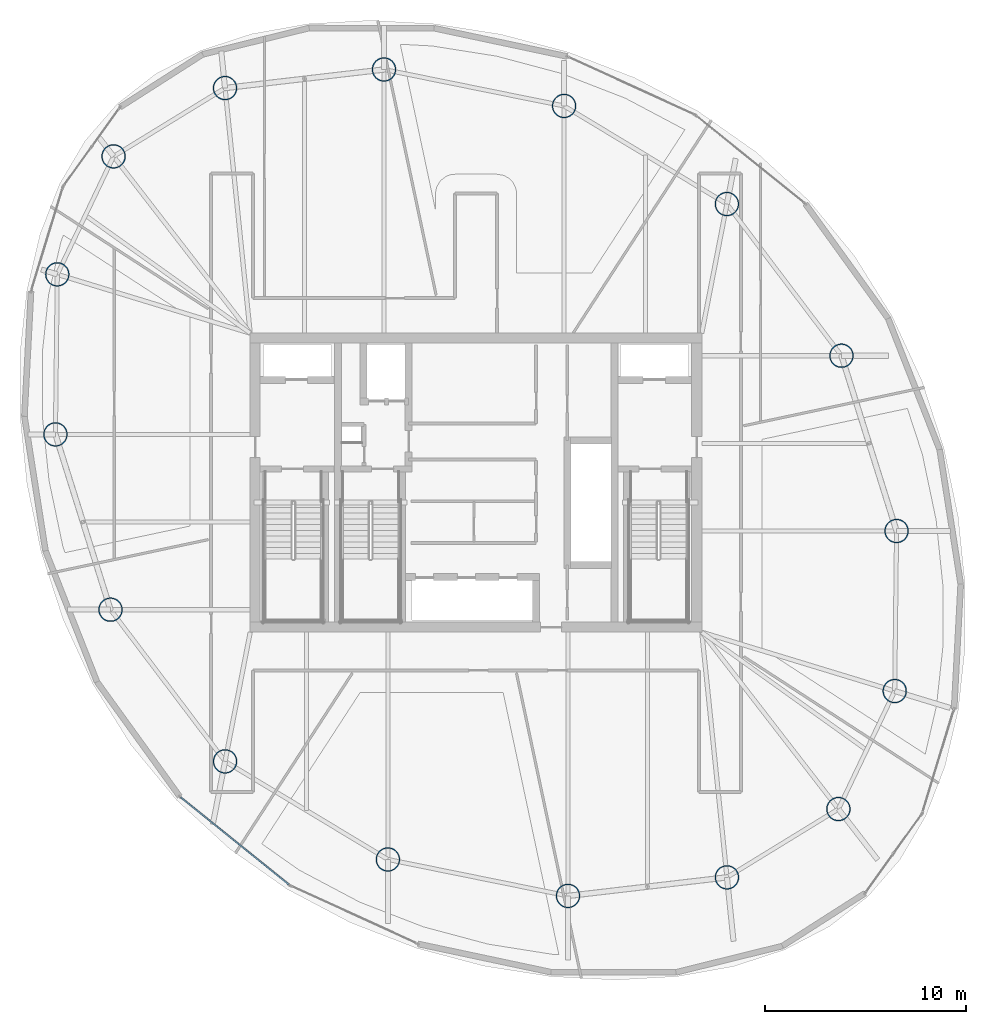
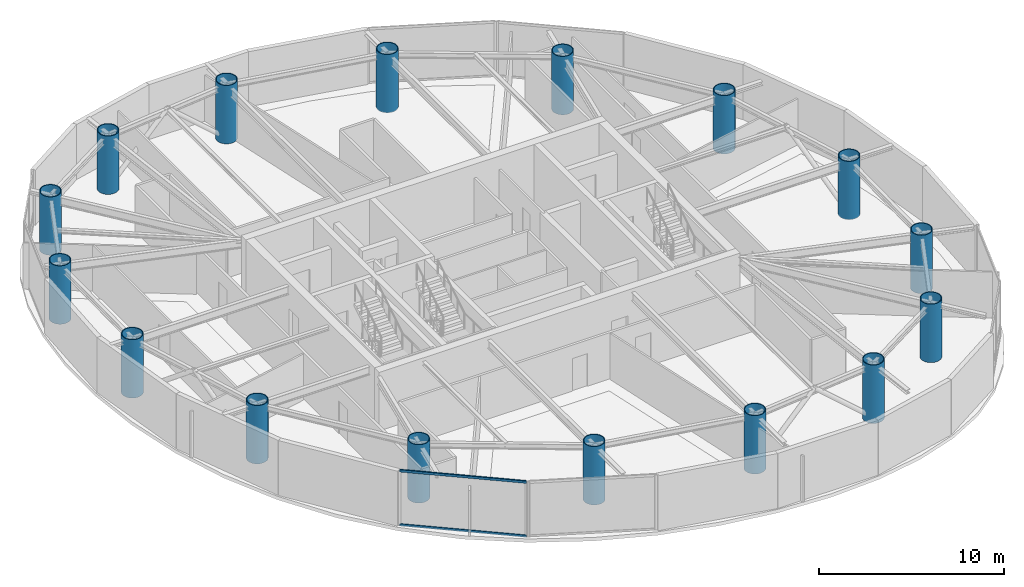
# One storey, part 1 of 19: 16 columns, 2 members, 1 element without a shape of its own.
"""IFC4 building model written with IfcOpenShell, lengths in metres."""

import ifcopenshell
import ifcopenshell.guid

model = None  # the IFC model being written
_history = None  # IfcOwnerHistory: only IFC2X3 demands one
_inside = {}  # id of a spatial element -> (the spatial element, [elements in it])
_under = {}  # id of a project, library or spatial element -> (it, [spatial elements below it])
_declared = {}  # id of a project -> (the project, [libraries it declares])
_typed = {}  # id of a type object -> (the type object, [elements of that type])
_made_of = {}  # id of a material, layer set ... -> (it, [elements and type objects made of it])


def new_model(schema):
    """Start an empty IFC model of exactly this schema.

    Asked for "IFC4X3", IfcOpenShell would pick the latest addendum, in which some entities
    have other attributes; the version numbers below select the first issue.
    IFC2X3 requires an IfcOwnerHistory on every rooted entity: one is made here for all.
    """
    global model, _history
    if schema == "IFC4X3":
        model = ifcopenshell.file(schema_version=(4, 3, 0, 0))
    else:
        model = ifcopenshell.file(schema=schema)
    _inside.clear()
    _under.clear()
    _declared.clear()
    _typed.clear()
    _made_of.clear()
    _history = None
    if model.schema == "IFC2X3":
        org = make("IfcOrganization", Name="unknown")
        user = make(
            "IfcPersonAndOrganization",
            ThePerson=make("IfcPerson", FamilyName="unknown"),
            TheOrganization=org,
        )
        app = make(
            "IfcApplication",
            ApplicationDeveloper=org,
            Version="unknown",
            ApplicationFullName="unknown",
            ApplicationIdentifier="unknown",
        )
        _history = make(
            "IfcOwnerHistory",
            OwningUser=user,
            OwningApplication=app,
            ChangeAction="ADDED",
            CreationDate=0,
        )
    return model


def make(cls, **values):
    """One entity of the class cls with the attributes given. An attribute that is None is left unset."""
    return model.create_entity(
        cls, **{name: value for name, value in values.items() if value is not None}
    )


def rooted(cls, **values):
    """An entity with a GlobalId (a new one), such as an element, a storey or a relation."""
    return make(cls, GlobalId=ifcopenshell.guid.new(), OwnerHistory=_history, **values)


def si_unit(unit_type, name, prefix=None):
    """IfcSIUnit, for example si_unit("LENGTHUNIT", "METRE", prefix="MILLI")."""
    return make("IfcSIUnit", UnitType=unit_type, Prefix=prefix, Name=name)


def assignment(units):
    """IfcUnitAssignment: the units of a project."""
    return None if units is None else make("IfcUnitAssignment", Units=units)


def point(xyz):
    """IfcCartesianPoint."""
    return None if xyz is None else make("IfcCartesianPoint", Coordinates=xyz)


def direction(xyz):
    """IfcDirection."""
    return None if xyz is None else make("IfcDirection", DirectionRatios=xyz)


def frame(location, z_axis=None, x_axis=None):
    """IfcAxis2Placement3D, a coordinate frame: its origin and axes. An axis left out is left unset."""
    return make(
        "IfcAxis2Placement3D",
        Location=point(location),
        Axis=direction(z_axis),
        RefDirection=direction(x_axis),
    )


def frame_2d(location, x_axis=None):
    """IfcAxis2Placement2D, a coordinate frame in the plane: its origin and x axis."""
    return make(
        "IfcAxis2Placement2D", Location=point(location), RefDirection=direction(x_axis)
    )


def origin():
    """The frame at (0, 0, 0) with its axes left unset."""
    return frame((0.0, 0.0, 0.0))


def origin_2d():
    """The frame at (0, 0) in the plane with its x axis left unset."""
    return frame_2d((0.0, 0.0))


def place(relative_to, where):
    """IfcLocalPlacement: puts the frame where relative to a parent placement (None: the world)."""
    return make(
        "IfcLocalPlacement", PlacementRelTo=relative_to, RelativePlacement=where
    )


def context(
    kind, dimensions, precision=None, world=None, true_north=None, identifier=None
):
    """IfcGeometricRepresentationContext, for example the 3D "Model" context."""
    return make(
        "IfcGeometricRepresentationContext",
        ContextIdentifier=identifier,
        ContextType=kind,
        CoordinateSpaceDimension=dimensions,
        Precision=precision,
        WorldCoordinateSystem=world,
        TrueNorth=true_north,
    )


def subcontext(parent, identifier, kind, view, scale=None):
    """IfcGeometricRepresentationSubContext, for example "Body" below "Model"."""
    return make(
        "IfcGeometricRepresentationSubContext",
        ContextIdentifier=identifier,
        ContextType=kind,
        ParentContext=parent,
        TargetScale=scale,
        TargetView=view,
    )


def project(units=None, contexts=None):
    """IfcProject with its units and contexts."""
    return rooted(
        "IfcProject",
        Name="project",
        RepresentationContexts=contexts,
        UnitsInContext=assignment(units),
    )


def spatial(cls, under=None, at=None, **own):
    """A site, building, storey or space (cls), placed at a placement, below another one or the project."""
    s = rooted(cls, ObjectPlacement=at, **own)
    if under is not None:
        _under.setdefault(under.id(), (under, []))[1].append(s)
    return s


def profile(cls, at=None, kind="AREA", **sizes):
    """A parametric profile (cls). Its sizes go by their IFC names, for example OverallWidth=200.0."""
    return make(cls, ProfileType=kind, Position=at, **sizes)


def hollow_rectangle(**sizes):
    """IfcRectangleHollowProfileDef."""
    return profile("IfcRectangleHollowProfileDef", **sizes)


def hollow_circle(**sizes):
    """IfcCircleHollowProfileDef."""
    return profile("IfcCircleHollowProfileDef", **sizes)


def extrude(swept, where, along, depth):
    """IfcExtrudedAreaSolid: the profile swept, set in the frame where, extruded along a direction by depth."""
    return make(
        "IfcExtrudedAreaSolid",
        SweptArea=swept,
        Position=where,
        ExtrudedDirection=direction(along),
        Depth=depth,
    )


def shape(context_of_items, identifier, shape_type, items):
    """IfcShapeRepresentation: the items that make up one representation, for example the "Body"."""
    return make(
        "IfcShapeRepresentation",
        ContextOfItems=context_of_items,
        RepresentationIdentifier=identifier,
        RepresentationType=shape_type,
        Items=items,
    )


def material(Name=None, Category=None):
    """IfcMaterial."""
    return make("IfcMaterial", Name=Name, Category=Category)


def layer(
    of_material, thickness, ventilated=None, Name=None, Category=None, Priority=None
):
    """IfcMaterialLayer: one layer of a wall or slab, of a material (None: an air gap)."""
    return make(
        "IfcMaterialLayer",
        Material=of_material,
        LayerThickness=thickness,
        IsVentilated=ventilated,
        Name=Name,
        Category=Category,
        Priority=Priority,
    )


def layer_set(layers, Name=None):
    """IfcMaterialLayerSet."""
    return make("IfcMaterialLayerSet", MaterialLayers=layers, LayerSetName=Name)


def material_profile(
    of_material, cross_section, Name=None, Category=None, Priority=None
):
    """IfcMaterialProfile: a cross section and its material."""
    return make(
        "IfcMaterialProfile",
        Name=Name,
        Material=of_material,
        Profile=cross_section,
        Priority=Priority,
        Category=Category,
    )


def profile_set(profiles, Name=None, composite=None):
    """IfcMaterialProfileSet."""
    return make(
        "IfcMaterialProfileSet",
        Name=Name,
        MaterialProfiles=profiles,
        CompositeProfile=composite,
    )


def made_of(thing, what):
    """Note that an element or type object is made of a material, layer set ...; save() writes the relation."""
    if what is not None:
        _made_of.setdefault(what.id(), (what, []))[1].append(thing)
    return thing


def type_object(cls, material=None, **own):
    """A type object (cls), such as IfcWallType, which elements share."""
    return made_of(rooted(cls, **own), material)


def element(
    cls,
    number,
    at=None,
    inside=None,
    cuts=None,
    type_object=None,
    material=None,
    context=None,
    identifier="Body",
    shape_type=None,
    held_by="IfcProductDefinitionShape",
    body=None,
    shapes=None,
    **own,
):
    """One element of the class cls, such as IfcWall. Its Tag is "e" and its number.

    at: its placement. inside: the storey or other place that contains it. cuts: it is an
    opening in that element (IfcRelVoidsElement). A single representation is given by context,
    identifier, shape_type and body (its items); several are given by shapes. held_by: the class
    of the entity that holds the representations. save() writes the other relations.
    """
    e = rooted(cls, Tag="e%d" % number, ObjectPlacement=at, **own)
    if body is not None:
        shapes = [shape(context, identifier, shape_type, body)]
    if shapes is not None:
        e.Representation = make(held_by, Representations=shapes)
    if inside is not None:
        _inside.setdefault(inside.id(), (inside, []))[1].append(e)
    if cuts is not None:
        rooted(
            "IfcRelVoidsElement", RelatingBuildingElement=cuts, RelatedOpeningElement=e
        )
    if type_object is not None:
        _typed.setdefault(type_object.id(), (type_object, []))[1].append(e)
    return made_of(e, material)


def aggregate(whole, parts):
    """IfcRelAggregates: a whole, such as a stair, and the parts it consists of."""
    return rooted("IfcRelAggregates", RelatingObject=whole, RelatedObjects=parts)


def save(model, path):
    """Write the relations noted so far, then the file.

    IfcRelAggregates (storeys below a building ...), IfcRelContainedInSpatialStructure (elements
    in a storey), IfcRelDefinesByType, IfcRelAssociatesMaterial and IfcRelDeclares: one each for
    every whole, place, type object, material and project.
    """
    for whole, parts in _under.values():
        aggregate(whole, parts)
    for where, things in _inside.values():
        rooted(
            "IfcRelContainedInSpatialStructure",
            RelatedElements=things,
            RelatingStructure=where,
        )
    for kind, things in _typed.values():
        rooted("IfcRelDefinesByType", RelatedObjects=things, RelatingType=kind)
    for what, things in _made_of.values():
        rooted("IfcRelAssociatesMaterial", RelatedObjects=things, RelatingMaterial=what)
    for by, libraries in _declared.values():
        rooted("IfcRelDeclares", RelatingContext=by, RelatedDefinitions=libraries)
    model.write(path)


model = new_model("IFC4")

# Units and contexts
model_context = context("Model", 3, precision=1e-05, world=origin(), true_north=direction((0.0, 1.0)))
body_context = subcontext(model_context, "Body", "Model", "MODEL_VIEW")
ifc_project = project(units=[si_unit("LENGTHUNIT", "METRE"), si_unit("AREAUNIT", "SQUARE_METRE"), si_unit("VOLUMEUNIT", "CUBIC_METRE"), si_unit("PLANEANGLEUNIT", "RADIAN"), si_unit("MASSUNIT", "GRAM", prefix="KILO")], contexts=[model_context])

# Site, building, storey
site_placement = place(None, origin())
site = spatial("IfcSite", under=ifc_project, at=site_placement, CompositionType="ELEMENT")
building_placement = place(site_placement, origin())
building = spatial("IfcBuilding", under=site, at=building_placement, Name="Bramvorn Convention Spire", CompositionType="ELEMENT")
storey_placement = place(building_placement, frame((0.0, 0.0, 217.39990234375)))
storey = spatial("IfcBuildingStorey", under=building, at=storey_placement, Name="L55", CompositionType="ELEMENT", Elevation=217.39990234375)

# Columns
ifc_material_1 = material(Name="Steel CSA G40.21 Grade 350 (350W)", Category="steel")
ifc_material_profile_1 = material_profile(ifc_material_1, hollow_circle(Radius=0.60009765625, WallThickness=0.050048828125, at=origin_2d()))
ifc_profile_set_1 = profile_set([ifc_material_profile_1], Name="Steel CSA G40.21 Grade 350 (350W) - CFT1200X50")
column_type = type_object("IfcColumnType", Name="COL-CFT1200X50", PredefinedType="COLUMN", material=ifc_profile_set_1)
for number, where, z_axis, x_axis, name in (
    (1, (56.058349609375, 9.739990234375, 0.0), (0.0, 0.0, 1.0), (1.0, 0.0, 0.0), "L55 composite CFT mega-column MC01"),
    (2, (58.863037109375, 15.619384765625, 0.0), (0.0, 0.0, 1.0), (1.0, 0.0, 0.0), "L55 composite CFT mega-column MC02"),
    (3, (58.95458984375, 23.593505859375, 0.0), (0.0, 0.0, 1.0), (1.0, 0.0, 0.0), "L55 composite CFT mega-column MC03"),
    (4, (56.21044921875, 32.327392578125, 0.0), (0.0, 0.0, 1.0), (1.0, 0.0, 0.0), "L55 composite CFT mega-column MC04"),
    (5, (50.501953125, 39.885009765625, 0.0), (0.0, 0.0, 1.0), (1.0, 0.0, 0.0), "L55 composite CFT mega-column MC05"),
    (6, (42.38916015625, 44.772216796875, 0.0), (0.0, 0.0, 1.0), (1.0, 0.0, 0.0), "L55 composite CFT mega-column MC06"),
    (7, (33.416259765625, 46.58837890625, 0.0), (0.0, 0.0, 1.0), (1.0, 0.0, 0.0), "L55 composite CFT mega-column MC07"),
    (8, (25.49560546875, 45.663818359375, 0.0), (0.0, 0.0, 1.0), (1.0, 0.0, 0.0), "L55 composite CFT mega-column MC08"),
    (9, (19.941650390625, 42.260009765625, 0.0), (0.0, 0.0, 1.0), (1.0, 0.0, 0.0), "L55 composite CFT mega-column MC09"),
    (10, (17.136962890625, 36.380615234375, 0.0), (0.0, 0.0, 1.0), (1.0, 0.0, 0.0), "L55 composite CFT mega-column MC10"),
    (11, (17.04541015625, 28.406494140625, 0.0), (0.0, 0.0, 1.0), (1.0, 0.0, 0.0), "L55 composite CFT mega-column MC11"),
    (12, (19.78955078125, 19.672607421875, 0.0), (0.0, 0.0, 1.0), (1.0, 0.0, 0.0), "L55 composite CFT mega-column MC12"),
    (13, (25.498046875, 12.114990234375, 0.0), (0.0, 0.0, 1.0), (1.0, 0.0, 0.0), "L55 composite CFT mega-column MC13"),
    (14, (33.61083984375, 7.227783203125, 0.0), (0.0, 0.0, 1.0), (1.0, 0.0, 0.0), "L55 composite CFT mega-column MC14"),
    (15, (42.583740234375, 5.41162109375, 0.0), (0.0, 0.0, 1.0), (1.0, 0.0, 0.0), "L55 composite CFT mega-column MC15"),
    (16, (50.50439453125, 6.336181640625, 0.0), (0.0, 0.0, 1.0), (1.0, 0.0, 0.0), "L55 composite CFT mega-column MC16"),
):
    element("IfcColumn", number, at=place(storey_placement, frame(where, z_axis=z_axis, x_axis=x_axis)), inside=storey, type_object=column_type, Name=name, PredefinedType="COLUMN", context=body_context, shape_type="SweptSolid", body=[
        extrude(hollow_circle(Radius=0.60009765625, WallThickness=0.050048828125, at=origin_2d()), origin(), (0.0, 0.0, 1.0), 3.85009765625),
    ])

# Curtain wall, members
ifc_material_2 = material(Name="Anodised Bronze Unitised Curtain Wall", Category="aluminium")
ifc_layer = layer(ifc_material_2, 0.179931640625)
ifc_layer_set = layer_set([ifc_layer], Name="Anodised Bronze Unitised Curtain Wall - CW-OFF-FRIT")
curtain_wall_type = type_object("IfcCurtainWallType", Name="CW-OFF-FRIT", PredefinedType="USERDEFINED", material=ifc_layer_set)
curtain_wall_placement = place(storey_placement, origin())
curtain_wall = element("IfcCurtainWall", 17, at=curtain_wall_placement, inside=storey, type_object=curtain_wall_type, Name="L55 fritted glass curtain wall 19", ObjectType="UNITISED CURTAIN WALL", PredefinedType="USERDEFINED")
ifc_material_3 = material(Name="Anodised Bronze Aluminium 6063-T6", Category="aluminium")
ifc_material_profile_2 = material_profile(ifc_material_3, hollow_rectangle(XDim=0.080078125, YDim=0.159912109375, WallThickness=0.00390625, InnerFilletRadius=0.0009765625, OuterFilletRadius=0.00390625, at=origin_2d()))
ifc_profile_set_2 = profile_set([ifc_material_profile_2], Name="Anodised Bronze Aluminium 6063-T6 - CWT80X160")
member_type = type_object("IfcMemberType", Name="CW-TRN-150", PredefinedType="USERDEFINED", material=ifc_profile_set_2)
member_1_placement = place(storey_placement, frame((28.67431640625, 5.97607421875, 0.030029296875), z_axis=(-0.778196277642, 0.628021140937, 0.0), x_axis=(-0.628021140937, -0.778196277642, 0.0)))
member_1 = element("IfcMember", 18, at=member_1_placement, type_object=member_type, Name="CW3 transom 1.1", ObjectType="TRANSOM", PredefinedType="USERDEFINED", context=body_context, shape_type="SweptSolid", body=[
    extrude(hollow_rectangle(XDim=0.080078125, YDim=0.159912109375, WallThickness=0.00390625, InnerFilletRadius=0.0009765625, OuterFilletRadius=0.00390625, at=origin_2d()), origin(), (0.0, 0.0, 1.0), 6.925537109375),
])
member_2_placement = place(storey_placement, frame((28.67431640625, 5.97607421875, 3.590087890625), z_axis=(-0.778196277642, 0.628021140937, 0.0), x_axis=(-0.628021140937, -0.778196277642, 0.0)))
member_2 = element("IfcMember", 19, at=member_2_placement, type_object=member_type, Name="CW3 transom 1.2", ObjectType="TRANSOM", PredefinedType="USERDEFINED", context=body_context, shape_type="SweptSolid", body=[
    extrude(hollow_rectangle(XDim=0.080078125, YDim=0.159912109375, WallThickness=0.00390625, InnerFilletRadius=0.0009765625, OuterFilletRadius=0.00390625, at=origin_2d()), origin(), (0.0, 0.0, 1.0), 6.925537109375),
])
aggregate(curtain_wall, [member_1, member_2])

save(model, "model.ifc")
